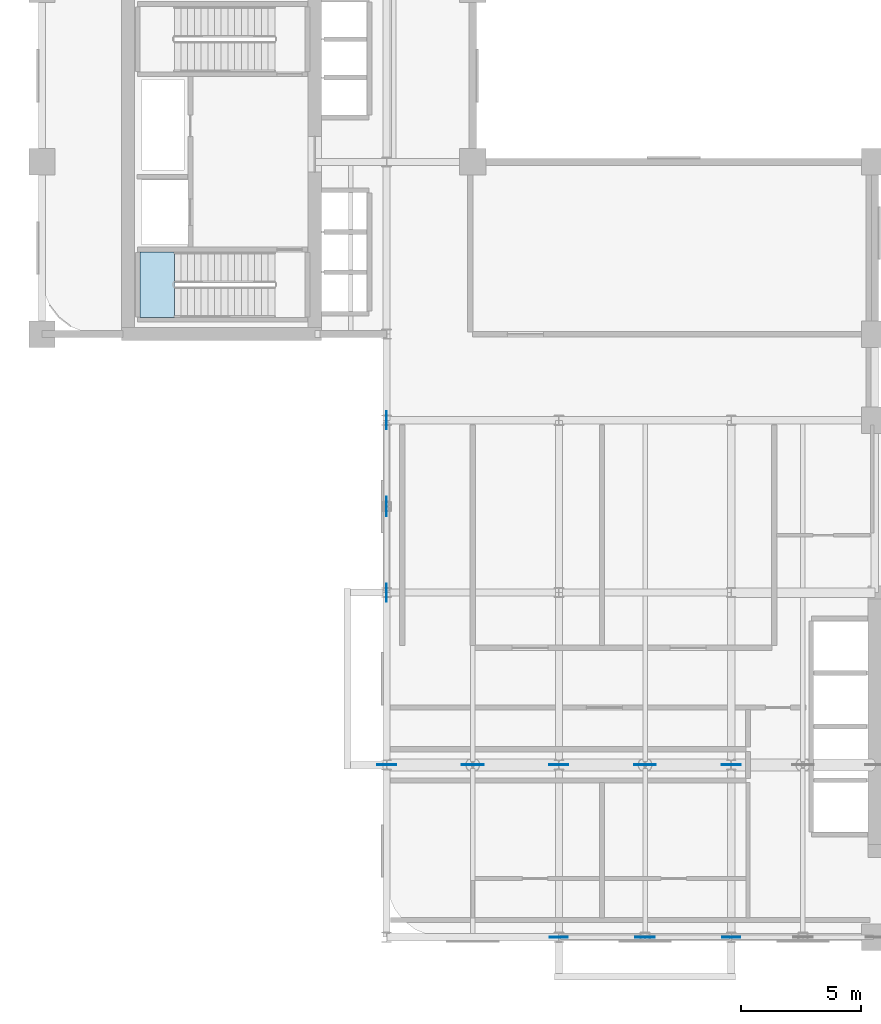
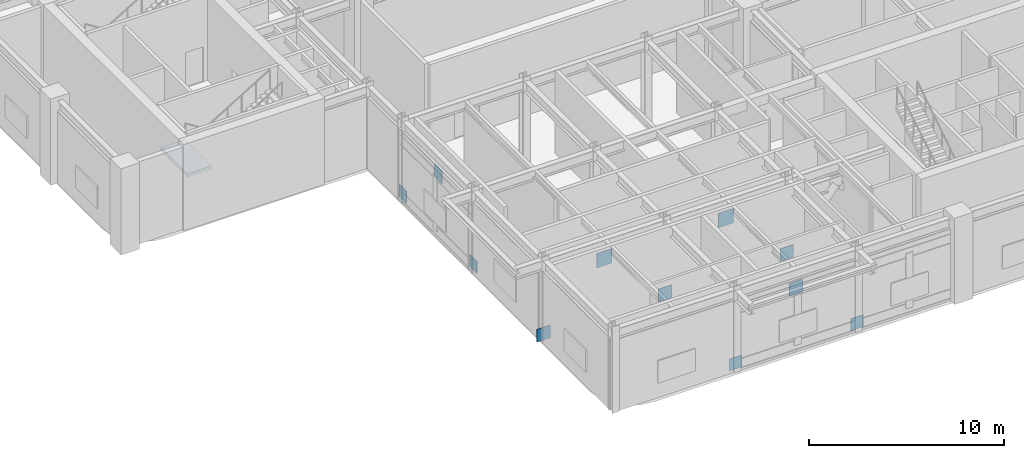
# One storey, part 4 of 12: 11 plates, 1 slab, 1 element without a shape of its own.
"""IFC4 building model written with IfcOpenShell, lengths in metres."""

from ifc_helpers import new_model, si_unit, derived_unit, direction, frame, origin, origin_2d, place, context, subcontext, project, spatial, polyline, rectangle, outline, extrude, source, transform, mapped, material, layer, layer_set, type_object, type_shapes, element, aggregate, save


model = new_model("IFC4")

# Units and contexts
model_context = context("Model", 3, precision=1e-05, world=origin(), true_north=direction((0.0, 1.0)))
body_context = subcontext(model_context, "Body", "Model", "MODEL_VIEW")
ifc_project = project(units=[si_unit("LENGTHUNIT", "METRE"), si_unit("AREAUNIT", "SQUARE_METRE"), si_unit("VOLUMEUNIT", "CUBIC_METRE"), si_unit("PLANEANGLEUNIT", "RADIAN"), si_unit("MASSUNIT", "GRAM", prefix="KILO"), si_unit("THERMODYNAMICTEMPERATUREUNIT", "KELVIN"), si_unit("POWERUNIT", "WATT"), derived_unit("THERMALTRANSMITTANCEUNIT", [(si_unit("POWERUNIT", "WATT"), 1), (si_unit("AREAUNIT", "SQUARE_METRE"), -1), (si_unit("THERMODYNAMICTEMPERATUREUNIT", "KELVIN"), -1)])], contexts=[model_context])

# Site, building, storey
site_placement = place(None, origin())
site = spatial("IfcSite", under=ifc_project, at=site_placement, CompositionType="ELEMENT")
building_placement = place(site_placement, origin())
building = spatial("IfcBuilding", under=site, at=building_placement, Name="Zahravan Archway Hotel and Residences", CompositionType="ELEMENT")
storey_placement = place(building_placement, frame((0.0, 0.0, 106.39990234375)))
storey = spatial("IfcBuildingStorey", under=building, at=storey_placement, Name="L26", CompositionType="ELEMENT", Elevation=106.39990234375)

# Stair, slab
ifc_material_1 = material(Name="Concrete C50/60", Category="concrete")
stair_type = type_object("IfcStairType", Name="STR-CORE-1300", PredefinedType="HALF_TURN_STAIR", material=ifc_material_1)
stair_placement = place(storey_placement, origin())
stair = element("IfcStair", 1, at=stair_placement, inside=storey, type_object=stair_type, Name="L26 Core B Exit Stair 1", PredefinedType="HALF_TURN_STAIR")
ifc_layer_1 = layer(ifc_material_1, 0.199951171875, Name="Concrete C50/60", Category="concrete")
ifc_layer_set_1 = layer_set([ifc_layer_1], Name="Concrete C50/60")
slab_type = type_object("IfcSlabType", Name="SLB-LND-200", PredefinedType="LANDING", material=ifc_layer_set_1)
slab_placement = place(storey_placement, frame((0.0, 0.0, 2.5)))
slab = element("IfcSlab", 2, at=slab_placement, type_object=slab_type, Name="ST-B1 landing 1", PredefinedType="LANDING", context=body_context, shape_type="SweptSolid", body=[
    extrude(outline(polyline([(5.530029296875, 28.639892578125), (4.10009765625, 28.639892578125), (4.10009765625, 25.89990234375), (5.530029296875, 25.89990234375), (5.530029296875, 28.639892578125)])), origin(), (0.0, 0.0, 1.0), 0.2001953125),
])
aggregate(stair, [slab])

# Plates
ifc_material_2 = material(Name="Structural Steel S355J2", Category="steel")
ifc_layer_2 = layer(ifc_material_2, 0.035888671875, Name="Structural Steel S355J2", Category="steel")
ifc_layer_set_2 = layer_set([ifc_layer_2], Name="Structural Steel S355J2")
plate_type_1 = type_object("IfcPlateType", Name="PLT-GUS-ON2", PredefinedType="USERDEFINED", material=ifc_layer_set_2)
shared_shape_1 = source(origin(), body_context, "Body", "SweptSolid", [
    extrude(rectangle(XDim=0.800048828125, YDim=0.035888671875, at=origin_2d()), origin(), (0.0, 0.0, 1.0), 0.800048828125),
])
type_shapes(plate_type_1, [shared_shape_1])
for number, where, z_axis, x_axis, name in (
    (3, (14.39990234375, 7.199951171875, 0.05029296875), (0.0, 0.0, 1.0), (1.0, 0.0, 0.0), "L26 Outrigger End Gusset Plate ON2-1-L"),
    (4, (21.60009765625, 7.199951171875, 0.05029296875), (0.0, 0.0, 1.0), (1.0, 0.0, 0.0), "L26 Outrigger End Gusset Plate ON2-1-R"),
    (5, (28.800048828125, 7.199951171875, 0.05029296875), (0.0, 0.0, 1.0), (1.0, 0.0, 0.0), "L26 Outrigger End Gusset Plate ON2-2-R"),
):
    element("IfcPlate", number, at=place(storey_placement, frame(where, z_axis=z_axis, x_axis=x_axis)), inside=storey, type_object=plate_type_1, Name=name, ObjectType="GUSSET", PredefinedType="USERDEFINED", context=body_context, shape_type="MappedRepresentation", body=[
        mapped(shared_shape_1, transform((0.0, 0.0, 0.0), scale=1.0)),
    ])
ifc_layer_3 = layer(ifc_material_2, 0.035888671875, Name="Structural Steel S355J2", Category="steel")
ifc_layer_set_3 = layer_set([ifc_layer_3], Name="Structural Steel S355J2")
plate_type_2 = type_object("IfcPlateType", Name="PLT-GUS-ON1", PredefinedType="USERDEFINED", material=ifc_layer_set_3)
shared_shape_2 = source(origin(), body_context, "Body", "SweptSolid", [
    extrude(rectangle(XDim=0.89990234375, YDim=0.035888671875, at=origin_2d()), origin(), (0.0, 0.0, 1.0), 0.89990234375),
])
type_shapes(plate_type_2, [shared_shape_2])
for number, where, z_axis, x_axis, name in (
    (6, (18.0, 7.199951171875, 3.4501953125), (0.0, 0.0, 1.0), (1.0, 0.0, 0.0), "L26 Outrigger Apex Gusset Plate ON1-1"),
    (7, (25.199951171875, 7.199951171875, 3.4501953125), (0.0, 0.0, 1.0), (1.0, 0.0, 0.0), "L26 Outrigger Apex Gusset Plate ON1-2"),
):
    element("IfcPlate", number, at=place(storey_placement, frame(where, z_axis=z_axis, x_axis=x_axis)), inside=storey, type_object=plate_type_2, Name=name, ObjectType="GUSSET", PredefinedType="USERDEFINED", context=body_context, shape_type="MappedRepresentation", body=[
        mapped(shared_shape_2, transform((0.0, 0.0, 0.0), scale=1.0)),
    ])
ifc_layer_4 = layer(ifc_material_2, 0.031982421875, Name="Structural Steel S355J2", Category="steel")
ifc_layer_set_4 = layer_set([ifc_layer_4], Name="Structural Steel S355J2")
plate_type_3 = type_object("IfcPlateType", Name="PLT-GUS-BN1", PredefinedType="USERDEFINED", material=ifc_layer_set_4)
shared_shape_3 = source(origin(), body_context, "Body", "SweptSolid", [
    extrude(rectangle(XDim=0.800048828125, YDim=0.031982421875, at=origin_2d()), origin(), (0.0, 0.0, 1.0), 0.800048828125),
])
type_shapes(plate_type_3, [shared_shape_3])
for number, where, z_axis, x_axis, name in (
    (8, (25.199951171875, 0.0, 3.5), (0.0, 0.0, 1.0), (1.0, 0.0, 0.0), "L26 Belt Truss Gusset Plate BN1-1"),
    (9, (14.39990234375, 18.0, 3.5), (0.0, 0.0, 1.0), (0.0, 1.0, 0.0), "L26 Belt Truss Gusset Plate BN1-3"),
):
    element("IfcPlate", number, at=place(storey_placement, frame(where, z_axis=z_axis, x_axis=x_axis)), inside=storey, type_object=plate_type_3, Name=name, ObjectType="GUSSET", PredefinedType="USERDEFINED", context=body_context, shape_type="MappedRepresentation", body=[
        mapped(shared_shape_3, transform((0.0, 0.0, 0.0), scale=1.0)),
    ])
ifc_layer_5 = layer(ifc_material_2, 0.031982421875, Name="Structural Steel S355J2", Category="steel")
ifc_layer_set_5 = layer_set([ifc_layer_5], Name="Structural Steel S355J2")
plate_type_4 = type_object("IfcPlateType", Name="PLT-GUS-BN2", PredefinedType="USERDEFINED", material=ifc_layer_set_5)
shared_shape_4 = source(origin(), body_context, "Body", "SweptSolid", [
    extrude(rectangle(XDim=0.75, YDim=0.031982421875, at=origin_2d()), origin(), (0.0, 0.0, 1.0), 0.75),
])
type_shapes(plate_type_4, [shared_shape_4])
for number, where, z_axis, x_axis, name in (
    (10, (21.60009765625, 0.0, 0.0751953125), (0.0, 0.0, 1.0), (1.0, 0.0, 0.0), "L26 Belt Truss End Gusset Plate BN2-1-A"),
    (11, (28.800048828125, 0.0, 0.0751953125), (0.0, 0.0, 1.0), (1.0, 0.0, 0.0), "L26 Belt Truss End Gusset Plate BN2-1-B"),
    (12, (14.39990234375, 14.39990234375, 0.0751953125), (0.0, 0.0, 1.0), (0.0, 1.0, 0.0), "L26 Belt Truss End Gusset Plate BN2-3-A"),
    (13, (14.39990234375, 21.60009765625, 0.0751953125), (0.0, 0.0, 1.0), (0.0, 1.0, 0.0), "L26 Belt Truss End Gusset Plate BN2-3-B"),
):
    element("IfcPlate", number, at=place(storey_placement, frame(where, z_axis=z_axis, x_axis=x_axis)), inside=storey, type_object=plate_type_4, Name=name, ObjectType="GUSSET", PredefinedType="USERDEFINED", context=body_context, shape_type="MappedRepresentation", body=[
        mapped(shared_shape_4, transform((0.0, 0.0, 0.0), scale=1.0)),
    ])

save(model, "model.ifc")
